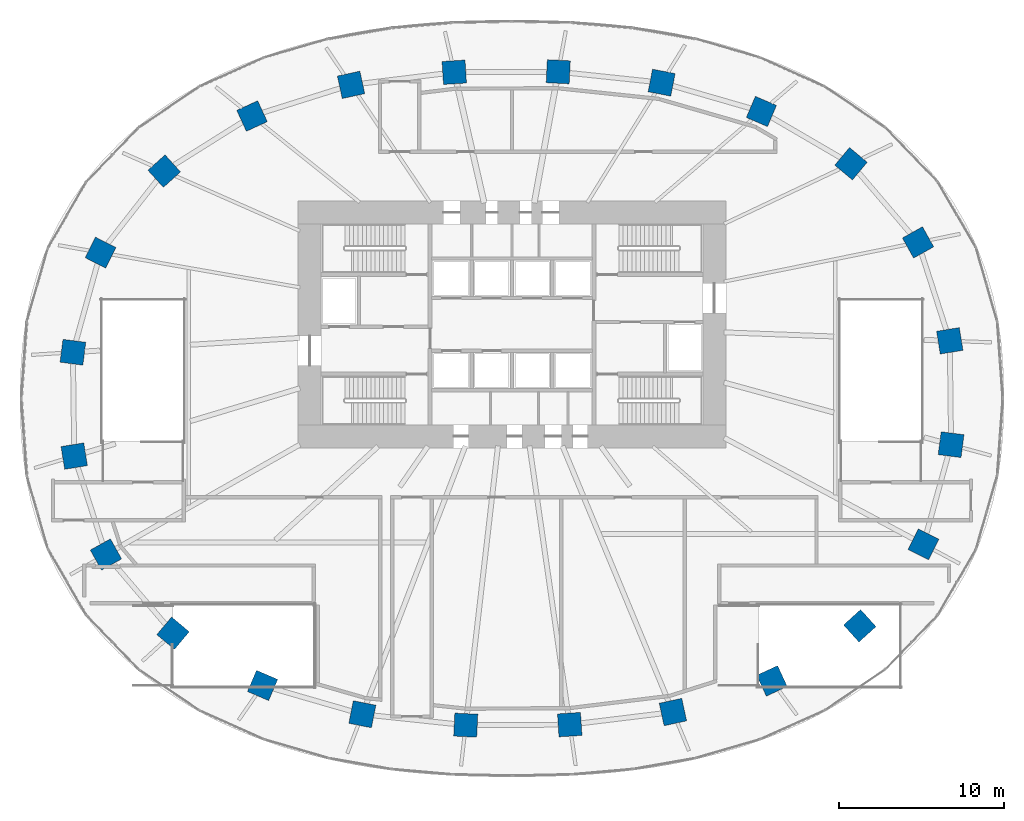
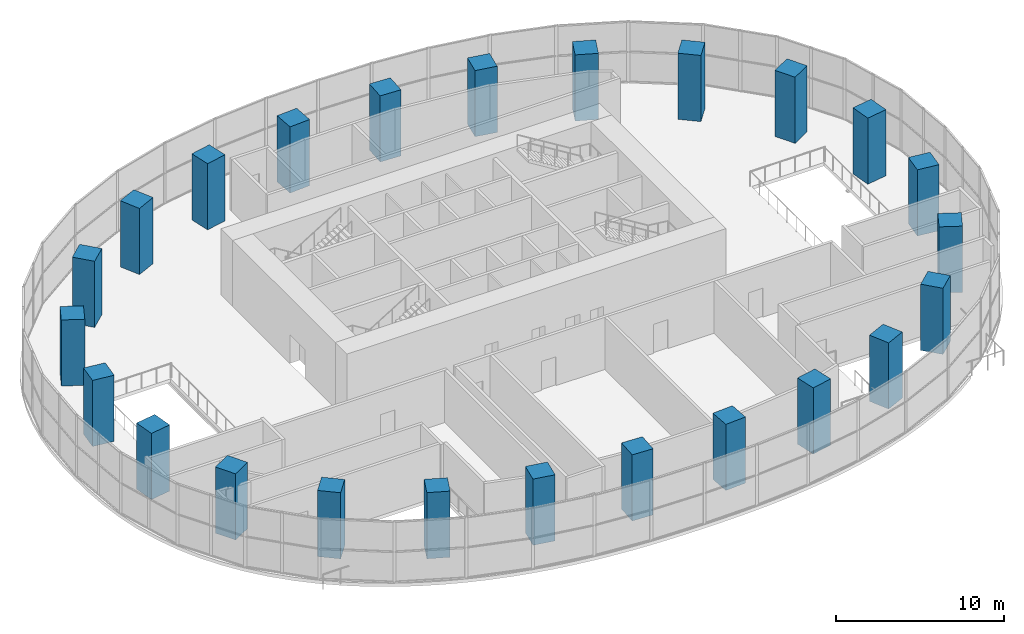
# One storey, part 1 of 17: 24 columns.
"""IFC4 building model written with IfcOpenShell, lengths in metres."""

from ifc_helpers import new_model, si_unit, direction, frame, origin, origin_2d, place, context, subcontext, project, spatial, rectangle, extrude, material, material_profile, profile_set, type_object, element, save


model = new_model("IFC4")

# Units and contexts
model_context = context("Model", 3, precision=1e-05, world=origin(), true_north=direction((0.0, 1.0)))
body_context = subcontext(model_context, "Body", "Model", "MODEL_VIEW")
ifc_project = project(units=[si_unit("LENGTHUNIT", "METRE"), si_unit("AREAUNIT", "SQUARE_METRE"), si_unit("VOLUMEUNIT", "CUBIC_METRE"), si_unit("PLANEANGLEUNIT", "RADIAN"), si_unit("MASSUNIT", "GRAM", prefix="KILO")], contexts=[model_context])

# Site, building, storey
site_placement = place(None, origin())
site = spatial("IfcSite", under=ifc_project, at=site_placement, CompositionType="ELEMENT")
building_placement = place(site_placement, origin())
building = spatial("IfcBuilding", under=site, at=building_placement, Name="Rubra Terraces Tower", CompositionType="ELEMENT")
storey_placement = place(building_placement, frame((0.0, 0.0, 28.199951171875)))
storey = spatial("IfcBuildingStorey", under=building, at=storey_placement, Name="L04", CompositionType="ELEMENT", Elevation=28.199951171875)

# Columns
ifc_material = material(Name="Concrete C60", Category="concrete")
ifc_material_profile = material_profile(ifc_material, rectangle(XDim=1.39990234375, YDim=1.39990234375, at=origin_2d()), Name="RC 1400x1400")
ifc_profile_set = profile_set([ifc_material_profile], Name="Concrete C60")
column_type = type_object("IfcColumnType", Name="RING COLUMN RC 1400x1400 C60", PredefinedType="COLUMN", material=ifc_profile_set)
for number, where, z_axis, x_axis, name in (
    (1, (26.60498046875, 3.5029296875, 0.0), (0.0, 0.0, 1.0), (-0.161234051287, 0.986916197408, 0.0), "column-L04-ring-01"),
    (2, (24.676025390625, 9.48291015625, 0.0), (0.0, 0.0, 1.0), (-0.487226597714, 0.873275582208, 0.0), "column-L04-ring-02"),
    (3, (20.60009765625, 14.26611328125, 0.0), (0.0, 0.0, 1.0), (-0.767209547574, 0.641396531104, 0.0), "column-L04-ring-03"),
    (4, (15.156982421875, 17.44091796875, 0.0), (0.0, 0.0, 1.0), (-0.919293738002, 0.393572132232, 0.0), "column-L04-ring-04"),
    (5, (9.093994140625, 19.19189453125, 0.0), (0.0, 0.0, 1.0), (-0.981430410798, 0.191818530806, 0.0), "column-L04-ring-05"),
    (6, (2.81103515625, 19.85400390625, 0.0), (0.0, 0.0, 1.0), (-0.99874501614, 0.050083857035, 0.0), "column-L04-ring-06"),
    (7, (-3.509033203125, 19.823974609375, 0.0), (0.0, 0.0, 1.0), (-0.9980076013, -0.063093801177, 0.0), "column-L04-ring-07"),
    (8, (-9.780029296875, 19.05810546875, 0.0), (0.0, 0.0, 1.0), (-0.977386186482, -0.211462153764, 0.0), "column-L04-ring-08"),
    (9, (-15.799072265625, 17.1650390625, 0.0), (0.0, 0.0, 1.0), (-0.907952363445, -0.419073389413, 0.0), "column-L04-ring-09"),
    (10, (-21.135009765625, 13.81689453125, 0.0), (0.0, 0.0, 1.0), (-0.742675944539, -0.66965098477, 0.0), "column-L04-ring-10"),
    (11, (-25.0029296875, 8.865966796875, 0.0), (0.0, 0.0, 1.0), (-0.450098906028, -0.892978709036, 0.0), "column-L04-ring-11"),
    (12, (-26.68408203125, 2.80810546875, 0.0), (0.0, 0.0, 1.0), (-0.128444510405, -0.991716697322, 0.0), "column-L04-ring-12"),
    (13, (-26.60498046875, -3.5029296875, 0.0), (0.0, 0.0, 1.0), (0.161234051287, -0.986916197408, 0.0), "column-L04-ring-13"),
    (14, (-24.676025390625, -9.48291015625, 0.0), (0.0, 0.0, 1.0), (0.487226597714, -0.873275582208, 0.0), "column-L04-ring-14"),
    (15, (-20.60009765625, -14.26611328125, 0.0), (0.0, 0.0, 1.0), (0.767209547574, -0.641396531104, 0.0), "column-L04-ring-15"),
    (16, (-15.156982421875, -17.44091796875, 0.0), (0.0, 0.0, 1.0), (0.919293738002, -0.393572132232, 0.0), "column-L04-ring-16"),
    (17, (-9.093994140625, -19.19189453125, 0.0), (0.0, 0.0, 1.0), (0.981430410798, -0.191818530806, 0.0), "column-L04-ring-17"),
    (18, (-2.81103515625, -19.85400390625, 0.0), (0.0, 0.0, 1.0), (0.99874501614, -0.050083857035, 0.0), "column-L04-ring-18"),
    (19, (3.509033203125, -19.823974609375, 0.0), (0.0, 0.0, 1.0), (0.9980076013, 0.063093801177, 0.0), "column-L04-ring-19"),
    (20, (9.780029296875, -19.05810546875, 0.0), (0.0, 0.0, 1.0), (0.977386186482, 0.211462153764, 0.0), "column-L04-ring-20"),
    (21, (15.799072265625, -17.1650390625, 0.0), (0.0, 0.0, 1.0), (0.907952363445, 0.419073389413, 0.0), "column-L04-ring-21"),
    (22, (21.135009765625, -13.81689453125, 0.0), (0.0, 0.0, 1.0), (0.742675944539, 0.66965098477, 0.0), "column-L04-ring-22"),
    (23, (25.0029296875, -8.865966796875, 0.0), (0.0, 0.0, 1.0), (0.450098906028, 0.892978709036, 0.0), "column-L04-ring-23"),
    (24, (26.68408203125, -2.80810546875, 0.0), (0.0, 0.0, 1.0), (0.128444510405, 0.991716697322, 0.0), "column-L04-ring-24"),
):
    element("IfcColumn", number, at=place(storey_placement, frame(where, z_axis=z_axis, x_axis=x_axis)), inside=storey, type_object=column_type, Name=name, PredefinedType="COLUMN", context=body_context, shape_type="SweptSolid", body=[
        extrude(rectangle(XDim=1.39990234375, YDim=1.39990234375, at=origin_2d()), origin(), (0.0, 0.0, 1.0), 4.800048828125),
    ])

save(model, "model.ifc")
